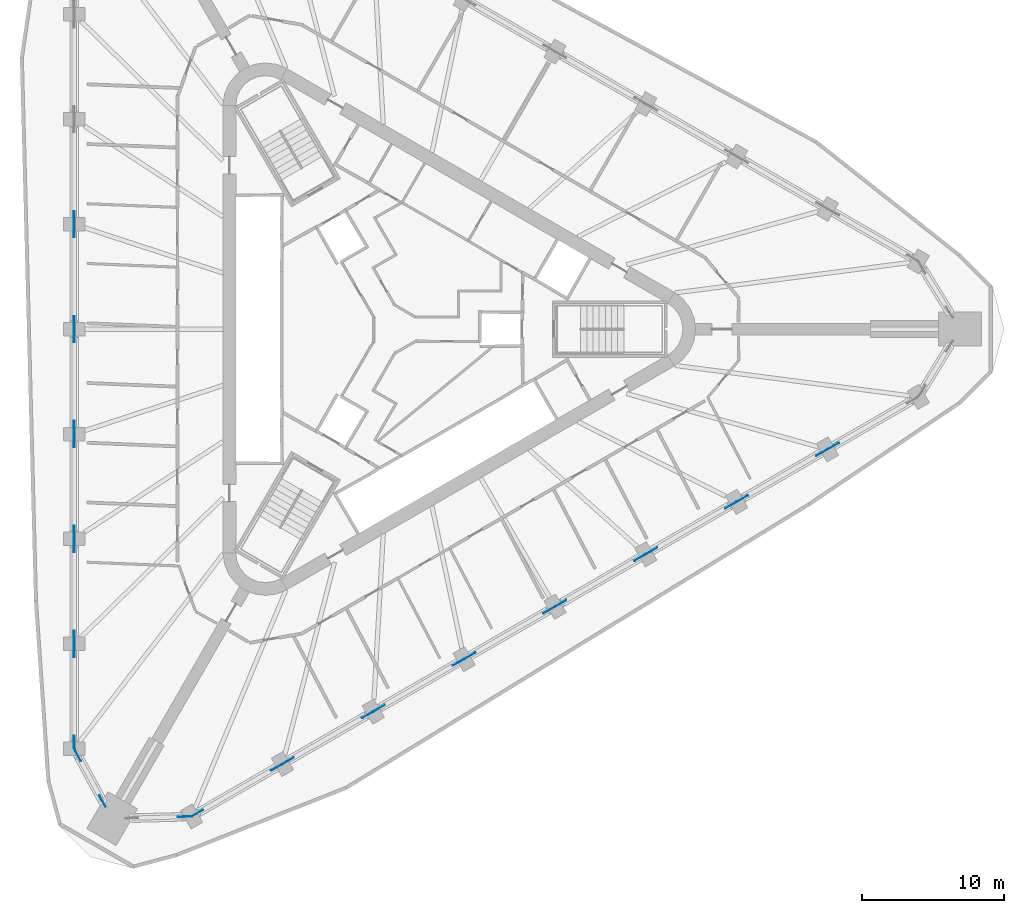
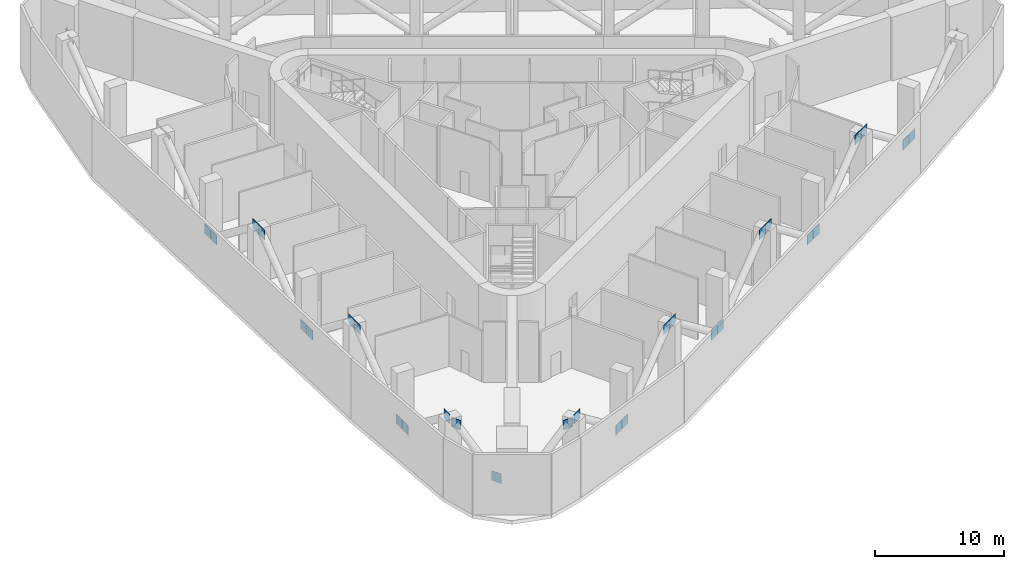
# One storey, part 9 of 13: 29 discrete accessories.
"""IFC4 building model written with IfcOpenShell, lengths in metres."""

from ifc_helpers import new_model, si_unit, direction, frame, origin, origin_2d, place, context, subcontext, project, spatial, rectangle, extrude, material, layer, layer_set, type_object, element, save


model = new_model("IFC4")

# Units and contexts
model_context = context("Model", 3, precision=1e-05, world=origin(), true_north=direction((0.0, 1.0)))
body_context = subcontext(model_context, "Body", "Model", "MODEL_VIEW")
ifc_project = project(units=[si_unit("LENGTHUNIT", "METRE"), si_unit("AREAUNIT", "SQUARE_METRE"), si_unit("VOLUMEUNIT", "CUBIC_METRE"), si_unit("PLANEANGLEUNIT", "RADIAN"), si_unit("MASSUNIT", "GRAM", prefix="KILO")], contexts=[model_context])

# Site, building, storey
site_placement = place(None, origin())
site = spatial("IfcSite", under=ifc_project, at=site_placement, CompositionType="ELEMENT")
building_placement = place(site_placement, origin())
building = spatial("IfcBuilding", under=site, at=building_placement, Name="Tanit Gate Tower", CompositionType="ELEMENT")
storey_placement = place(building_placement, frame((0.0, 0.0, 163.199951171875)))
storey = spatial("IfcBuildingStorey", under=building, at=storey_placement, Name="L35", CompositionType="ELEMENT", Elevation=163.199951171875)

# Discrete accessories
ifc_material = material(Name="Steel S460", Category="steel")
ifc_layer = layer(ifc_material, 0.0400390625)
ifc_layer_set = layer_set([ifc_layer], Name="GUSSET PLATE 900x900x40 S460")
discrete_accessory_type = type_object("IfcDiscreteAccessoryType", Name="GUSSET PLATE 900x900x40 S460", PredefinedType="BRACKET", material=ifc_layer_set)
for number, where, z_axis, x_axis, name in (
    (1, (-22.58251953125, -29.0908203125, 4.8837890625), (0.0, 0.0, 1.0), (0.0, 1.0, 0.0), "GUSSET PLATE NODE L35-029"),
    (2, (-22.58251953125, -22.6494140625, -0.08349609375), (0.0, 0.0, 1.0), (0.0, -1.0, 0.0), "GUSSET PLATE NODE L35-030"),
    (3, (-22.58251953125, -21.69921875, -0.08349609375), (0.0, 0.0, 1.0), (0.0, 1.0, 0.0), "GUSSET PLATE NODE L35-031"),
    (4, (-22.58251953125, -15.2578125, 4.8837890625), (0.0, 0.0, 1.0), (0.0, -1.0, 0.0), "GUSSET PLATE NODE L35-032"),
    (5, (-22.58251953125, -14.307861328125, 4.8837890625), (0.0, 0.0, 1.0), (0.0, 1.0, 0.0), "GUSSET PLATE NODE L35-033"),
    (6, (-22.58251953125, -7.866455078125, -0.08349609375), (0.0, 0.0, 1.0), (0.0, -1.0, 0.0), "GUSSET PLATE NODE L35-034"),
    (7, (-22.58251953125, -6.91650390625, -0.08349609375), (0.0, 0.0, 1.0), (0.0, 1.0, 0.0), "GUSSET PLATE NODE L35-035"),
    (8, (-22.58251953125, -0.47509765625, 4.8837890625), (0.0, 0.0, 1.0), (0.0, -1.0, 0.0), "GUSSET PLATE NODE L35-036"),
    (9, (-22.58251953125, 0.47509765625, 4.8837890625), (0.0, 0.0, 1.0), (0.0, 1.0, 0.0), "GUSSET PLATE NODE L35-037"),
    (10, (-22.58251953125, 6.91650390625, -0.08349609375), (0.0, 0.0, 1.0), (0.0, -1.0, 0.0), "GUSSET PLATE NODE L35-038"),
    (11, (-22.58251953125, 7.866455078125, -0.08349609375), (0.0, 0.0, 1.0), (0.0, 1.0, 0.0), "GUSSET PLATE NODE L35-039"),
    (12, (-22.3251953125, -30.040771484375, 4.70068359375), (0.0, 0.0, 1.0), (0.475992633666, -0.879449266698, 0.0), "GUSSET PLATE NODE L35-045"),
    (13, (-20.585693359375, -33.255126953125, 0.98291015625), (0.0, 0.0, 1.0), (-0.475992633666, 0.879449266698, 0.0), "GUSSET PLATE NODE L35-047"),
    (14, (-14.853515625, -34.354736328125, 4.70068359375), (0.0, 0.0, 1.0), (-0.999622202997, -0.027485473886, 0.0), "GUSSET PLATE NODE L35-051"),
    (15, (-13.902099609375, -34.102294921875, 4.8837890625), (0.0, 0.0, 1.0), (0.866025403784, 0.5, 0.0), "GUSSET PLATE NODE L35-053"),
    (16, (-8.32373046875, -30.881591796875, -0.08349609375), (0.0, 0.0, 1.0), (-0.866025403784, -0.5, 0.0), "GUSSET PLATE NODE L35-055"),
    (17, (-7.5009765625, -30.406494140625, -0.08349609375), (0.0, 0.0, 1.0), (0.866025403784, 0.5, 0.0), "GUSSET PLATE NODE L35-057"),
    (18, (-1.922607421875, -27.185791015625, 4.8837890625), (0.0, 0.0, 1.0), (-0.866025403784, -0.5, 0.0), "GUSSET PLATE NODE L35-059"),
    (19, (-1.099609375, -26.7109375, 4.8837890625), (0.0, 0.0, 1.0), (0.866025403784, 0.5, 0.0), "GUSSET PLATE NODE L35-061"),
    (20, (4.478515625, -23.490234375, -0.08349609375), (0.0, 0.0, 1.0), (-0.866025403784, -0.5, 0.0), "GUSSET PLATE NODE L35-063"),
    (21, (5.301513671875, -23.01513671875, -0.08349609375), (0.0, 0.0, 1.0), (0.866025403784, 0.5, 0.0), "GUSSET PLATE NODE L35-065"),
    (22, (10.8798828125, -19.79443359375, 4.8837890625), (0.0, 0.0, 1.0), (-0.866025403784, -0.5, 0.0), "GUSSET PLATE NODE L35-067"),
    (23, (11.70263671875, -19.319580078125, 4.8837890625), (0.0, 0.0, 1.0), (0.866025403784, 0.5, 0.0), "GUSSET PLATE NODE L35-069"),
    (24, (17.281005859375, -16.0986328125, -0.08349609375), (0.0, 0.0, 1.0), (-0.866025403784, -0.5, 0.0), "GUSSET PLATE NODE L35-071"),
    (25, (18.103759765625, -15.623779296875, -0.08349609375), (0.0, 0.0, 1.0), (0.866025403784, 0.5, 0.0), "GUSSET PLATE NODE L35-073"),
    (26, (23.68212890625, -12.403076171875, 4.8837890625), (0.0, 0.0, 1.0), (-0.866025403784, -0.5, 0.0), "GUSSET PLATE NODE L35-075"),
    (27, (24.5048828125, -11.927978515625, 4.8837890625), (0.0, 0.0, 1.0), (0.866025403784, 0.5, 0.0), "GUSSET PLATE NODE L35-077"),
    (28, (30.08349609375, -8.707275390625, -0.08349609375), (0.0, 0.0, 1.0), (-0.866025403784, -0.5, 0.0), "GUSSET PLATE NODE L35-079"),
    (29, (30.90625, -8.232421875, -0.08349609375), (0.0, 0.0, 1.0), (0.866025403784, 0.5, 0.0), "GUSSET PLATE NODE L35-081"),
):
    element("IfcDiscreteAccessory", number, at=place(storey_placement, frame(where, z_axis=z_axis, x_axis=x_axis)), inside=storey, type_object=discrete_accessory_type, Name=name, PredefinedType="BRACKET", context=body_context, shape_type="SweptSolid", body=[
        extrude(rectangle(XDim=0.89990234375, YDim=0.0400390625, at=origin_2d()), origin(), (0.0, 0.0, 1.0), 0.89990234375),
    ])

save(model, "model.ifc")
